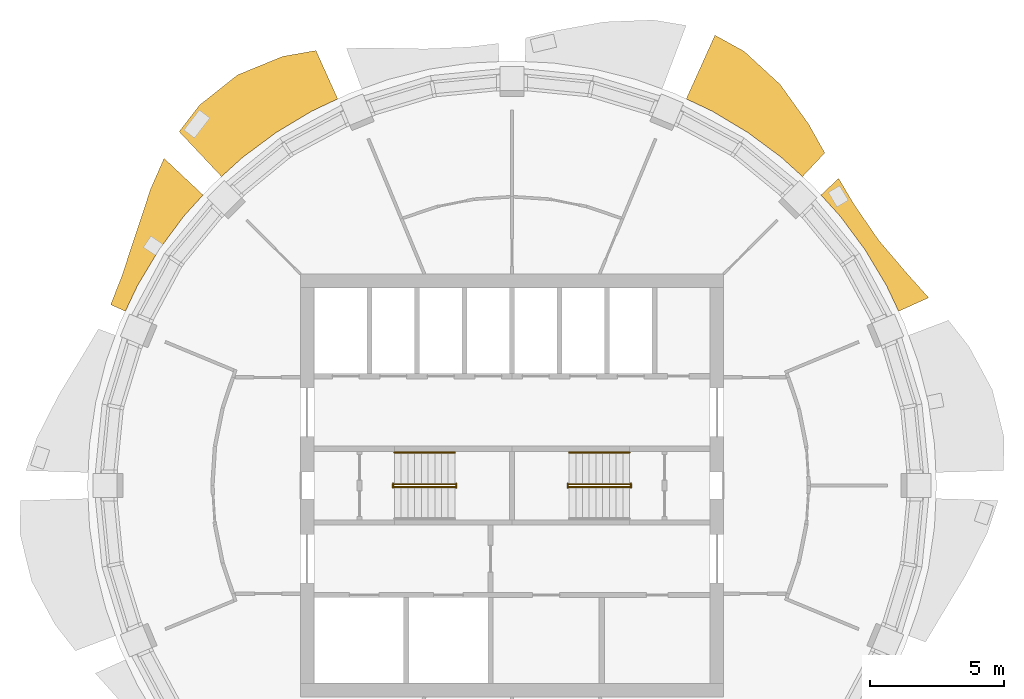
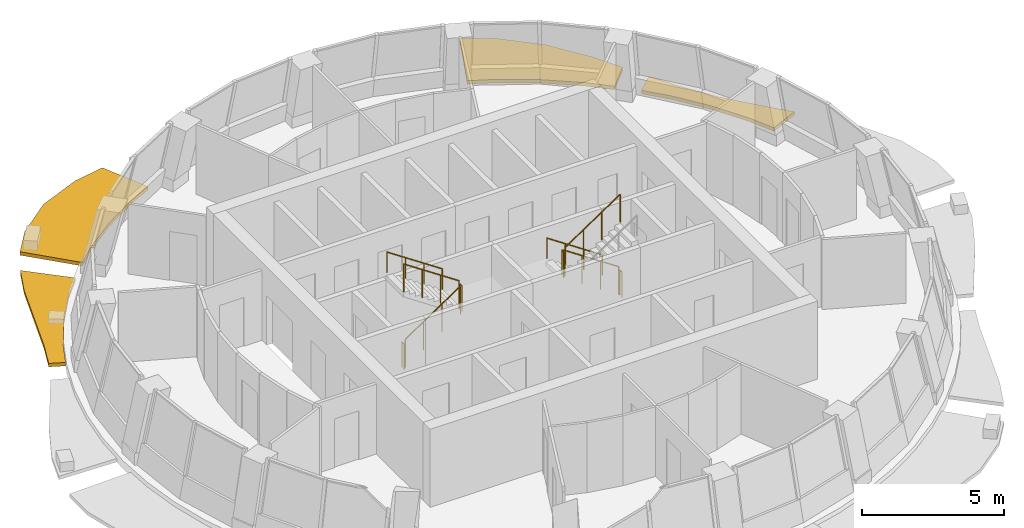
# One storey, part 9 of 11: 10 railings, 4 shading devices.
"""IFC4 building model written with IfcOpenShell, lengths in metres."""

from ifc_helpers import new_model, si_unit, direction, frame, origin, origin_2d, place, context, subcontext, project, spatial, polyline, circle, outline, extrude, material, type_object, element, save


model = new_model("IFC4")

# Units and contexts
model_context = context("Model", 3, precision=1e-05, world=origin(), true_north=direction((0.0, 1.0)))
body_context = subcontext(model_context, "Body", "Model", "MODEL_VIEW")
ifc_project = project(units=[si_unit("LENGTHUNIT", "METRE"), si_unit("AREAUNIT", "SQUARE_METRE"), si_unit("VOLUMEUNIT", "CUBIC_METRE"), si_unit("PLANEANGLEUNIT", "RADIAN"), si_unit("MASSUNIT", "GRAM", prefix="KILO")], contexts=[model_context])

# Site, building, storey
site_placement = place(None, origin())
site = spatial("IfcSite", under=ifc_project, at=site_placement, CompositionType="ELEMENT")
building_placement = place(site_placement, origin())
building = spatial("IfcBuilding", under=site, at=building_placement, Name="Polderwave Tower", CompositionType="ELEMENT")
storey_placement = place(building_placement, frame((0.0, 0.0, 224.5)))
storey = spatial("IfcBuildingStorey", under=building, at=storey_placement, Name="L61", CompositionType="ELEMENT", Elevation=224.5)

# Railings
ifc_material_1 = material(Name="Stainless steel", Category="steel")
railing_type_1 = type_object("IfcRailingType", Name="Stair guard 1100", PredefinedType="GUARDRAIL", material=ifc_material_1)
railing_1_placement = place(storey_placement, frame((-4.3740234375, -0.051025390625, 0.04736328125)))
element("IfcRailing", 1, at=railing_1_placement, inside=storey, type_object=railing_type_1, Name="L61 ST-A stair guard 1", PredefinedType="GUARDRAIL", context=body_context, shape_type="SweptSolid", body=[
    extrude(circle(Radius=0.02392578125, at=origin_2d()), frame((0.0, 0.0, 1.1962890625), z_axis=(0.830758306289, 0.0, 0.556633305266), x_axis=(0.0, 1.0, 0.0)), (0.0, 0.0, 1.0), 2.708251953125),
    extrude(circle(Radius=0.02392578125, at=origin_2d()), origin(), (0.0, 0.0, 1.0), 1.172119140625),
    extrude(circle(Radius=0.02392578125, at=origin_2d()), frame((0.75, 0.0, 0.50244140625)), (0.0, 0.0, 1.0), 1.172119140625),
    extrude(circle(Radius=0.02392578125, at=origin_2d()), frame((1.5, 0.0, 1.005126953125)), (0.0, 0.0, 1.0), 1.172119140625),
    extrude(circle(Radius=0.02392578125, at=origin_2d()), frame((2.25, 0.0, 1.507568359375)), (0.0, 0.0, 1.0), 1.172119140625),
])
railing_2_placement = place(storey_placement, frame((-2.073974609375, -0.074951171875, 1.675048828125)))
element("IfcRailing", 2, at=railing_2_placement, inside=storey, type_object=railing_type_1, Name="L61 ST-A stair guard 2", PredefinedType="GUARDRAIL", context=body_context, shape_type="SweptSolid", body=[
    extrude(circle(Radius=0.02392578125, at=origin_2d()), frame((0.0, 0.0, 1.076171875), z_axis=(0.0, 1.0, 0.0), x_axis=(-1.0, 0.0, 0.0)), (0.0, 0.0, 1.0), 0.14990234375),
    extrude(circle(Radius=0.02099609375, at=origin_2d()), origin(), (0.0, 0.0, 1.0), 1.052001953125),
    extrude(circle(Radius=0.02099609375, at=origin_2d()), frame((0.0, 0.14990234375, 0.0)), (0.0, 0.0, 1.0), 1.052001953125),
])
railing_3_placement = place(storey_placement, frame((-2.1240234375, 0.051025390625, 1.722412109375)))
element("IfcRailing", 3, at=railing_3_placement, inside=storey, type_object=railing_type_1, Name="L61 ST-A stair guard 3", PredefinedType="GUARDRAIL", context=body_context, shape_type="SweptSolid", body=[
    extrude(circle(Radius=0.02392578125, at=origin_2d()), frame((0.0, 0.0, 1.1962890625), z_axis=(-0.830758306289, 0.0, 0.556633305266), x_axis=(0.0, -1.0, 0.0)), (0.0, 0.0, 1.0), 2.708251953125),
    extrude(circle(Radius=0.02392578125, at=origin_2d()), origin(), (0.0, 0.0, 1.0), 1.172119140625),
    extrude(circle(Radius=0.02392578125, at=origin_2d()), frame((-0.75, 0.0, 0.50244140625)), (0.0, 0.0, 1.0), 1.172119140625),
    extrude(circle(Radius=0.02392578125, at=origin_2d()), frame((-1.5, 0.0, 1.005126953125)), (0.0, 0.0, 1.0), 1.172119140625),
    extrude(circle(Radius=0.02392578125, at=origin_2d()), frame((-2.25, 0.0, 1.507568359375)), (0.0, 0.0, 1.0), 1.172119140625),
])
railing_4_placement = place(storey_placement, frame((-4.424072265625, -0.074951171875, 0.0)))
element("IfcRailing", 4, at=railing_4_placement, inside=storey, type_object=railing_type_1, Name="L61 ST-A stair guard 4", PredefinedType="GUARDRAIL", context=body_context, shape_type="SweptSolid", body=[
    extrude(circle(Radius=0.02392578125, at=origin_2d()), frame((0.0, 0.0, 1.076171875), z_axis=(0.0, 1.0, 0.0), x_axis=(-1.0, 0.0, 0.0)), (0.0, 0.0, 1.0), 0.14990234375),
    extrude(circle(Radius=0.02099609375, at=origin_2d()), origin(), (0.0, 0.0, 1.0), 1.052001953125),
    extrude(circle(Radius=0.02099609375, at=origin_2d()), frame((0.0, 0.14990234375, 0.0)), (0.0, 0.0, 1.0), 1.052001953125),
])
railing_5_placement = place(storey_placement, frame((4.3740234375, 0.051025390625, 0.04736328125)))
element("IfcRailing", 5, at=railing_5_placement, inside=storey, type_object=railing_type_1, Name="L61 ST-B stair guard 1", PredefinedType="GUARDRAIL", context=body_context, shape_type="SweptSolid", body=[
    extrude(circle(Radius=0.02392578125, at=origin_2d()), frame((0.0, 0.0, 1.1962890625), z_axis=(-0.830758306289, 0.0, 0.556633305266), x_axis=(0.0, -1.0, 0.0)), (0.0, 0.0, 1.0), 2.708251953125),
    extrude(circle(Radius=0.02392578125, at=origin_2d()), origin(), (0.0, 0.0, 1.0), 1.172119140625),
    extrude(circle(Radius=0.02392578125, at=origin_2d()), frame((-0.75, 0.0, 0.50244140625)), (0.0, 0.0, 1.0), 1.172119140625),
    extrude(circle(Radius=0.02392578125, at=origin_2d()), frame((-1.5, 0.0, 1.005126953125)), (0.0, 0.0, 1.0), 1.172119140625),
    extrude(circle(Radius=0.02392578125, at=origin_2d()), frame((-2.25, 0.0, 1.507568359375)), (0.0, 0.0, 1.0), 1.172119140625),
])
railing_6_placement = place(storey_placement, frame((2.073974609375, 0.074951171875, 1.675048828125)))
element("IfcRailing", 6, at=railing_6_placement, inside=storey, type_object=railing_type_1, Name="L61 ST-B stair guard 2", PredefinedType="GUARDRAIL", context=body_context, shape_type="SweptSolid", body=[
    extrude(circle(Radius=0.02392578125, at=origin_2d()), frame((0.0, 0.0, 1.076171875), z_axis=(0.0, -1.0, 0.0), x_axis=(1.0, 0.0, 0.0)), (0.0, 0.0, 1.0), 0.14990234375),
    extrude(circle(Radius=0.02099609375, at=origin_2d()), origin(), (0.0, 0.0, 1.0), 1.052001953125),
    extrude(circle(Radius=0.02099609375, at=origin_2d()), frame((0.0, -0.14990234375, 0.0)), (0.0, 0.0, 1.0), 1.052001953125),
])
railing_7_placement = place(storey_placement, frame((2.1240234375, -0.051025390625, 1.722412109375)))
element("IfcRailing", 7, at=railing_7_placement, inside=storey, type_object=railing_type_1, Name="L61 ST-B stair guard 3", PredefinedType="GUARDRAIL", context=body_context, shape_type="SweptSolid", body=[
    extrude(circle(Radius=0.02392578125, at=origin_2d()), frame((0.0, 0.0, 1.1962890625), z_axis=(0.830758306289, 0.0, 0.556633305266), x_axis=(0.0, 1.0, 0.0)), (0.0, 0.0, 1.0), 2.708251953125),
    extrude(circle(Radius=0.02392578125, at=origin_2d()), origin(), (0.0, 0.0, 1.0), 1.172119140625),
    extrude(circle(Radius=0.02392578125, at=origin_2d()), frame((0.75, 0.0, 0.50244140625)), (0.0, 0.0, 1.0), 1.172119140625),
    extrude(circle(Radius=0.02392578125, at=origin_2d()), frame((1.5, 0.0, 1.005126953125)), (0.0, 0.0, 1.0), 1.172119140625),
    extrude(circle(Radius=0.02392578125, at=origin_2d()), frame((2.25, 0.0, 1.507568359375)), (0.0, 0.0, 1.0), 1.172119140625),
])
railing_8_placement = place(storey_placement, frame((4.424072265625, 0.074951171875, 0.0)))
element("IfcRailing", 8, at=railing_8_placement, inside=storey, type_object=railing_type_1, Name="L61 ST-B stair guard 4", PredefinedType="GUARDRAIL", context=body_context, shape_type="SweptSolid", body=[
    extrude(circle(Radius=0.02392578125, at=origin_2d()), frame((0.0, 0.0, 1.076171875), z_axis=(0.0, -1.0, 0.0), x_axis=(1.0, 0.0, 0.0)), (0.0, 0.0, 1.0), 0.14990234375),
    extrude(circle(Radius=0.02099609375, at=origin_2d()), origin(), (0.0, 0.0, 1.0), 1.052001953125),
    extrude(circle(Radius=0.02099609375, at=origin_2d()), frame((0.0, -0.14990234375, 0.0)), (0.0, 0.0, 1.0), 1.052001953125),
])
railing_type_2 = type_object("IfcRailingType", Name="Stair handrail 900", PredefinedType="HANDRAIL", material=ifc_material_1)
for number, where, name in (
    (9, (-2.1240234375, 1.22509765625, 1.842529296875), "L61 ST-A stair handrail 2"),
    (10, (4.3740234375, 1.22509765625, 0.16748046875), "L61 ST-B stair handrail 1"),
):
    element("IfcRailing", number, at=place(storey_placement, frame(where)), inside=storey, type_object=railing_type_2, Name=name, PredefinedType="HANDRAIL", context=body_context, shape_type="SweptSolid", body=[
        extrude(circle(Radius=0.02392578125, at=origin_2d()), frame((0.0, 0.0, 0.8759765625), z_axis=(-0.830758306289, 0.0, 0.556633305266), x_axis=(0.0, -1.0, 0.0)), (0.0, 0.0, 1.0), 2.708251953125),
        extrude(circle(Radius=0.02099609375, at=origin_2d()), origin(), (0.0, 0.0, 1.0), 0.851806640625),
        extrude(circle(Radius=0.02099609375, at=origin_2d()), frame((-0.75, 0.0, 0.50244140625)), (0.0, 0.0, 1.0), 0.851806640625),
        extrude(circle(Radius=0.02099609375, at=origin_2d()), frame((-1.5, 0.0, 1.005126953125)), (0.0, 0.0, 1.0), 0.851806640625),
        extrude(circle(Radius=0.02099609375, at=origin_2d()), frame((-2.25, 0.0, 1.507568359375)), (0.0, 0.0, 1.0), 0.851806640625),
    ])

# Shading devices
ifc_material_2 = material(Name="Terracotta", Category="masonry")
shading_device_type = type_object("IfcShadingDeviceType", Name="Terracotta sunshade band", PredefinedType="USERDEFINED", material=ifc_material_2)
shading_device_1_placement = place(storey_placement, frame((0.0, 0.0, -0.35009765625)))
element("IfcShadingDevice", 11, at=shading_device_1_placement, inside=storey, type_object=shading_device_type, Name="Sunshade band L61 2", ObjectType="SUNSHADE", PredefinedType="USERDEFINED", context=body_context, shape_type="SweptSolid", body=[
    extrude(outline(polyline([(14.389404296875, 6.485595703125), (13.934326171875, 7.447998046875), (13.13720703125, 8.778076171875), (12.213623046875, 10.0234375), (11.49853515625, 10.812255859375), (12.15625, 11.4306640625), (12.73681640625, 10.452880859375), (13.65185546875, 9.121826171875), (14.720703125, 7.868408203125), (15.5078125, 6.98974609375), (14.389404296875, 6.485595703125)])), origin(), (0.0, 0.0, 1.0), 0.150146484375),
])
shading_device_2_placement = place(storey_placement, frame((0.0, 0.0, -0.35009765625)))
element("IfcShadingDevice", 12, at=shading_device_2_placement, inside=storey, type_object=shading_device_type, Name="Sunshade band L61 3", ObjectType="SUNSHADE", PredefinedType="USERDEFINED", context=body_context, shape_type="SweptSolid", body=[
    extrude(outline(polyline([(10.812255859375, 11.49853515625), (10.0234375, 12.213623046875), (8.778076171875, 13.13720703125), (7.447998046875, 13.934326171875), (6.485595703125, 14.389404296875), (7.553955078125, 16.759765625), (8.63818359375, 16.160888671875), (9.9765625, 14.930908203125), (11.03955078125, 13.451904296875), (11.639892578125, 12.37890625), (10.812255859375, 11.49853515625)])), origin(), (0.0, 0.0, 1.0), 0.150146484375),
])
shading_device_3_placement = place(storey_placement, frame((0.0, 0.0, -0.35009765625)))
element("IfcShadingDevice", 13, at=shading_device_3_placement, inside=storey, type_object=shading_device_type, Name="Sunshade band L61 6", ObjectType="SUNSHADE", PredefinedType="USERDEFINED", context=body_context, shape_type="SweptSolid", body=[
    extrude(outline(polyline([(-6.485595703125, 14.389404296875), (-7.447998046875, 13.934326171875), (-8.778076171875, 13.13720703125), (-10.0234375, 12.213623046875), (-10.812255859375, 11.49853515625), (-12.385986328125, 13.17236328125), (-11.6240234375, 14.1640625), (-10.2119140625, 15.283447265625), (-8.536376953125, 15.97021484375), (-7.296630859375, 16.188720703125), (-6.485595703125, 14.389404296875)])), origin(), (0.0, 0.0, 1.0), 0.150146484375),
])
shading_device_4_placement = place(storey_placement, frame((0.0, 0.0, -0.35009765625)))
element("IfcShadingDevice", 14, at=shading_device_4_placement, inside=storey, type_object=shading_device_type, Name="Sunshade band L61 7", ObjectType="SUNSHADE", PredefinedType="USERDEFINED", context=body_context, shape_type="SweptSolid", body=[
    extrude(outline(polyline([(-11.49853515625, 10.812255859375), (-12.213623046875, 10.0234375), (-13.13720703125, 8.778076171875), (-13.934326171875, 7.447998046875), (-14.389404296875, 6.485595703125), (-14.9365234375, 6.732421875), (-14.530029296875, 7.7666015625), (-14.00439453125, 9.357421875), (-13.448974609375, 11.037109375), (-12.94970703125, 12.1767578125), (-11.49853515625, 10.812255859375)])), origin(), (0.0, 0.0, 1.0), 0.150146484375),
])

save(model, "model.ifc")
